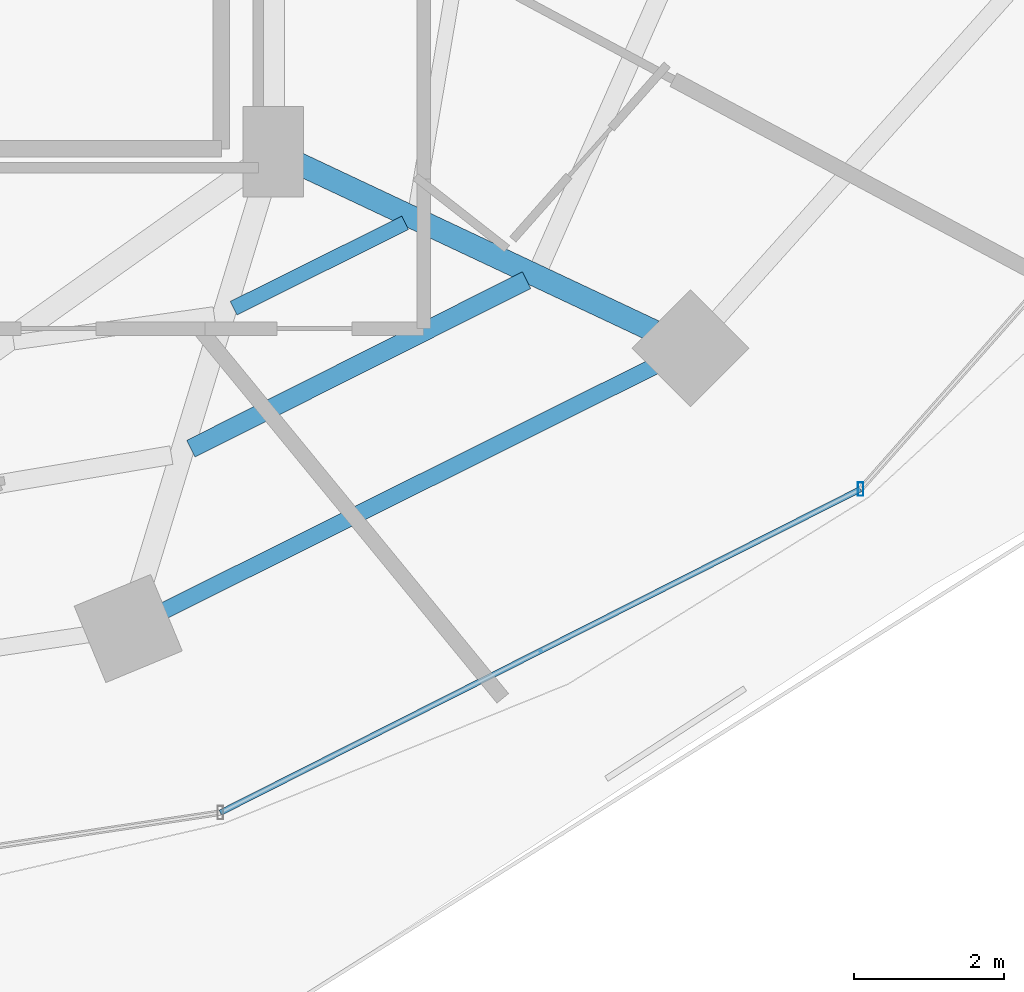
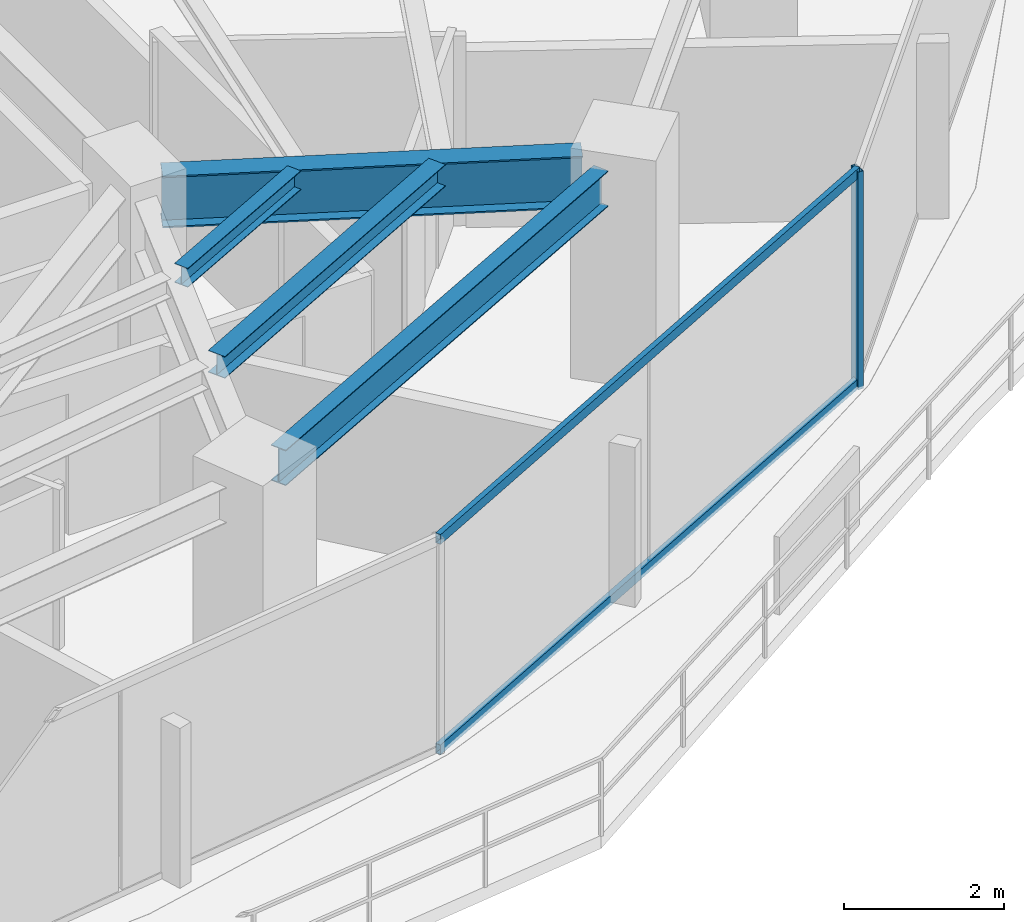
# One storey, part 11 of 29: 4 beams, 3 members, 1 element without a shape of its own.
"""IFC4 building model written with IfcOpenShell, lengths in metres."""

from ifc_helpers import new_model, si_unit, direction, frame, origin, origin_2d, place, context, subcontext, project, spatial, hollow_rectangle, i_section, extrude, material, material_profile, profile_set, type_object, element, aggregate, save


model = new_model("IFC4")

# Units and contexts
model_context = context("Model", 3, precision=1e-05, world=origin(), true_north=direction((0.0, 1.0)))
body_context = subcontext(model_context, "Body", "Model", "MODEL_VIEW")
ifc_project = project(units=[si_unit("LENGTHUNIT", "METRE"), si_unit("AREAUNIT", "SQUARE_METRE"), si_unit("VOLUMEUNIT", "CUBIC_METRE"), si_unit("PLANEANGLEUNIT", "RADIAN"), si_unit("MASSUNIT", "GRAM", prefix="KILO")], contexts=[model_context])

# Site, building, storey
site_placement = place(None, origin())
site = spatial("IfcSite", under=ifc_project, at=site_placement, CompositionType="ELEMENT")
building_placement = place(site_placement, origin())
building = spatial("IfcBuilding", under=site, at=building_placement, Name="Vorneva Point Tower", CompositionType="ELEMENT")
storey_placement = place(building_placement, frame((0.0, 0.0, 113.800048828125)))
storey = spatial("IfcBuildingStorey", under=building, at=storey_placement, Name="L30", CompositionType="ELEMENT", Elevation=113.800048828125)

# Beams
ifc_material_1 = material(Name="Steel S355", Category="steel")
ifc_material_profile_1 = material_profile(ifc_material_1, i_section(OverallWidth=0.300048828125, OverallDepth=0.7880859375, WebThickness=0.014404296875, FlangeThickness=0.02197265625, at=origin_2d()), Name="80Sh1")
ifc_profile_set_1 = profile_set([ifc_material_profile_1], Name="Steel S355")
beam_type_1 = type_object("IfcBeamType", Name="BM-GRD-80Sh1", PredefinedType="USERDEFINED", material=ifc_profile_set_1)
beam_1_placement = place(storey_placement, frame((53.81201171875, 14.06689453125, 2.845947265625), z_axis=(-0.904751304927, 0.425940226126, 0.0), x_axis=(-0.425940226126, -0.904751304927, 0.0)))
element("IfcBeam", 1, at=beam_1_placement, inside=storey, type_object=beam_type_1, Name="L30 Radial Primary Girder 15", ObjectType="GIRDER", PredefinedType="USERDEFINED", context=body_context, shape_type="SweptSolid", body=[
    extrude(i_section(OverallWidth=0.300048828125, OverallDepth=0.7880859375, WebThickness=0.014404296875, FlangeThickness=0.02197265625, at=origin_2d()), origin(), (0.0, 0.0, 1.0), 5.2548828125),
])
ifc_material_profile_2 = material_profile(ifc_material_1, i_section(OverallWidth=0.199951171875, OverallDepth=0.291015625, WebThickness=0.008056640625, FlangeThickness=0.010986328125, at=origin_2d()), Name="30Sh1")
ifc_profile_set_2 = profile_set([ifc_material_profile_2], Name="Steel S355")
beam_type_2 = type_object("IfcBeamType", Name="BM-SEC-30Sh1", PredefinedType="BEAM", material=ifc_profile_set_2)
beam_2_placement = place(storey_placement, frame((48.222412109375, 14.370849609375, 3.094482421875), z_axis=(0.895364579083, 0.445333886566, 0.0), x_axis=(-0.445333886566, 0.895364579083, 0.0)))
element("IfcBeam", 2, at=beam_2_placement, inside=storey, type_object=beam_type_2, Name="L30 Secondary Floor Beam 2.14", PredefinedType="BEAM", context=body_context, shape_type="SweptSolid", body=[
    extrude(i_section(OverallWidth=0.199951171875, OverallDepth=0.291015625, WebThickness=0.008056640625, FlangeThickness=0.010986328125, at=origin_2d()), origin(), (0.0, 0.0, 1.0), 2.547119140625),
])
ifc_material_profile_3 = material_profile(ifc_material_1, i_section(OverallWidth=0.2490234375, OverallDepth=0.333984375, WebThickness=0.008056640625, FlangeThickness=0.010986328125, at=origin_2d()), Name="35Sh1")
ifc_profile_set_3 = profile_set([ifc_material_profile_3], Name="Steel S355")
beam_type_3 = type_object("IfcBeamType", Name="BM-SEC-35Sh1", PredefinedType="BEAM", material=ifc_profile_set_3)
beam_3_placement = place(storey_placement, frame((47.653076171875, 12.501220703125, 3.072998046875), z_axis=(0.893693254795, 0.448678466537, 0.0), x_axis=(-0.448678466537, 0.893693254795, 0.0)))
element("IfcBeam", 3, at=beam_3_placement, inside=storey, type_object=beam_type_3, Name="L30 Secondary Floor Beam 1.14", PredefinedType="BEAM", context=body_context, shape_type="SweptSolid", body=[
    extrude(i_section(OverallWidth=0.2490234375, OverallDepth=0.333984375, WebThickness=0.008056640625, FlangeThickness=0.010986328125, at=origin_2d()), origin(), (0.0, 0.0, 1.0), 4.997802734375),
])
ifc_material_profile_4 = material_profile(ifc_material_1, i_section(OverallWidth=0.219970703125, OverallDepth=0.54296875, WebThickness=0.009521484375, FlangeThickness=0.013427734375, at=origin_2d()), Name="55B1")
ifc_profile_set_4 = profile_set([ifc_material_profile_4], Name="Steel S355")
beam_type_4 = type_object("IfcBeamType", Name="BM-SPN-55B1", PredefinedType="SPANDREL", material=ifc_profile_set_4)
beam_4_placement = place(storey_placement, frame((47.2998046875, 10.347900390625, 2.968505859375), z_axis=(0.894915882304, 0.446234874926, 0.0), x_axis=(-0.446234874926, 0.894915882304, 0.0)))
element("IfcBeam", 4, at=beam_4_placement, inside=storey, type_object=beam_type_4, Name="L30 Perimeter Spandrel Ring Beam 14", PredefinedType="SPANDREL", context=body_context, shape_type="SweptSolid", body=[
    extrude(i_section(OverallWidth=0.219970703125, OverallDepth=0.54296875, WebThickness=0.009521484375, FlangeThickness=0.013427734375, at=origin_2d()), origin(), (0.0, 0.0, 1.0), 7.285888671875),
])

# Curtain wall, members
ifc_material_2 = material(Name="Pale anodised aluminium", Category="aluminium")
curtain_wall_type = type_object("IfcCurtainWallType", Name="CW-HTL-SYS", PredefinedType="NOTDEFINED", material=ifc_material_2)
curtain_wall_placement = place(storey_placement, origin())
curtain_wall = element("IfcCurtainWall", 5, at=curtain_wall_placement, inside=storey, type_object=curtain_wall_type, Name="L30 Unitised Curtain Wall CW-L30-R04", PredefinedType="NOTDEFINED")
ifc_material_profile_5 = material_profile(ifc_material_2, hollow_rectangle(XDim=0.074951171875, YDim=0.179931640625, WallThickness=0.00390625, at=origin_2d()), Name="AL-MUL 180x75x4")
ifc_profile_set_5 = profile_set([ifc_material_profile_5], Name="Pale anodised aluminium")
member_type_1 = type_object("IfcMemberType", Name="CW-MUL-180", PredefinedType="MULLION", material=ifc_profile_set_5)
member_1_placement = place(storey_placement, frame((56.5615234375, 11.9638671875, -0.0400390625), z_axis=(0.0, 0.0, 1.0), x_axis=(1.0, 0.0, 0.0)))
member_1 = element("IfcMember", 6, at=member_1_placement, type_object=member_type_1, Name="CW-L30-R04 Mullion 05", PredefinedType="MULLION", context=body_context, shape_type="SweptSolid", body=[
    extrude(hollow_rectangle(XDim=0.074951171875, YDim=0.179931640625, WallThickness=0.00390625, at=origin_2d()), origin(), (0.0, 0.0, 1.0), 3.31005859375),
])
ifc_material_profile_6 = material_profile(ifc_material_2, hollow_rectangle(XDim=0.074951171875, YDim=0.14990234375, WallThickness=0.00390625, at=origin_2d()), Name="AL-TRN 150x75x4")
ifc_profile_set_6 = profile_set([ifc_material_profile_6], Name="Pale anodised aluminium")
member_type_2 = type_object("IfcMemberType", Name="CW-TRN-150", PredefinedType="USERDEFINED", material=ifc_profile_set_6)
member_2_placement = place(storey_placement, frame((48.04541015625, 7.660888671875, 0.02001953125), z_axis=(0.892536035732, 0.450976080207, 0.0), x_axis=(-0.450976080207, 0.892536035732, 0.0)))
member_2 = element("IfcMember", 7, at=member_2_placement, type_object=member_type_2, Name="CW-L30-R04 Transom 04.1", ObjectType="TRANSOM", PredefinedType="USERDEFINED", context=body_context, shape_type="SweptSolid", body=[
    extrude(hollow_rectangle(XDim=0.074951171875, YDim=0.14990234375, WallThickness=0.00390625, at=origin_2d()), origin(), (0.0, 0.0, 1.0), 9.54150390625),
])
member_3_placement = place(storey_placement, frame((48.04541015625, 7.660888671875, 3.219970703125), z_axis=(0.892536035732, 0.450976080207, 0.0), x_axis=(-0.450976080207, 0.892536035732, 0.0)))
member_3 = element("IfcMember", 8, at=member_3_placement, type_object=member_type_2, Name="CW-L30-R04 Transom 04.2", ObjectType="TRANSOM", PredefinedType="USERDEFINED", context=body_context, shape_type="SweptSolid", body=[
    extrude(hollow_rectangle(XDim=0.074951171875, YDim=0.14990234375, WallThickness=0.00390625, at=origin_2d()), origin(), (0.0, 0.0, 1.0), 9.54150390625),
])
aggregate(curtain_wall, [member_1, member_2, member_3])

save(model, "model.ifc")
